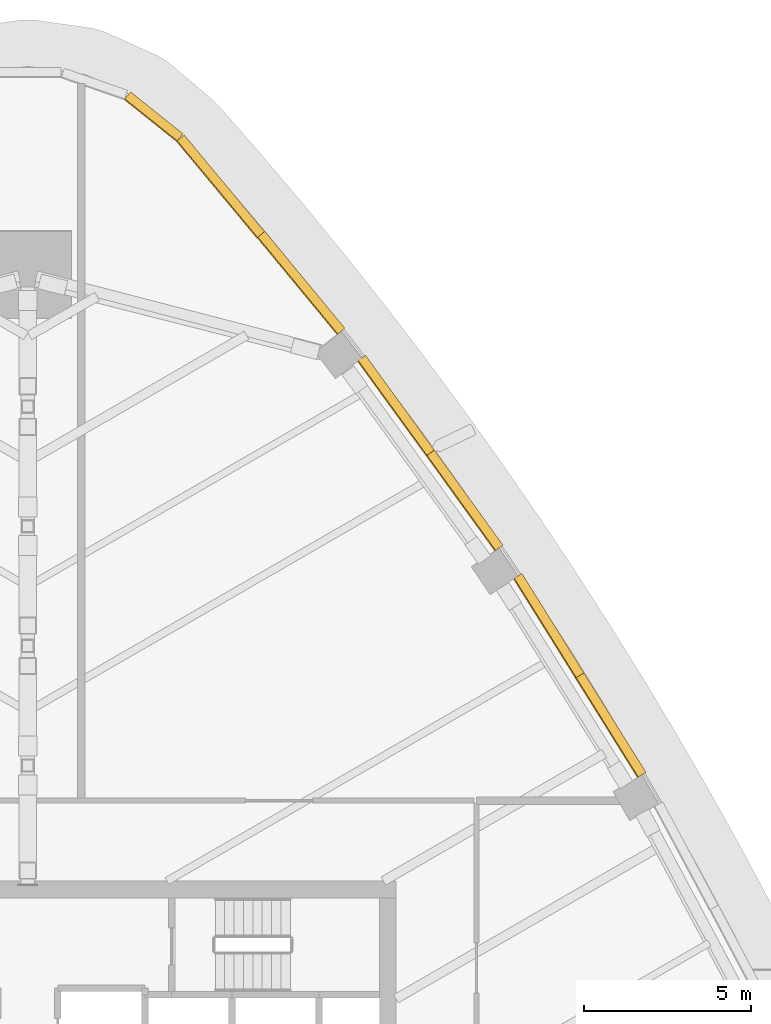
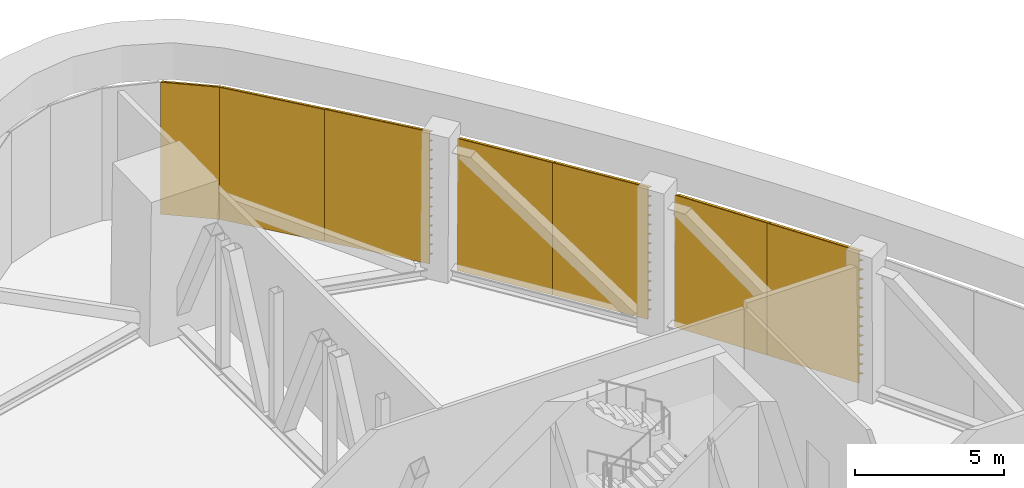
# One storey, part 18 of 18: 7 shading devices.
"""IFC4 building model written with IfcOpenShell, lengths in metres."""

from ifc_helpers import new_model, si_unit, direction, frame, origin, place, context, subcontext, project, spatial, polyline, outline, extrude, material, type_object, element, save


model = new_model("IFC4")

# Units and contexts
model_context = context("Model", 3, precision=1e-05, world=origin(), true_north=direction((0.0, 1.0)))
body_context = subcontext(model_context, "Body", "Model", "MODEL_VIEW")
ifc_project = project(units=[si_unit("LENGTHUNIT", "METRE"), si_unit("AREAUNIT", "SQUARE_METRE"), si_unit("VOLUMEUNIT", "CUBIC_METRE"), si_unit("PLANEANGLEUNIT", "RADIAN"), si_unit("MASSUNIT", "GRAM", prefix="KILO")], contexts=[model_context])

# Site, building, storey
site_placement = place(None, origin())
site = spatial("IfcSite", under=ifc_project, at=site_placement, CompositionType="ELEMENT")
building_placement = place(site_placement, origin())
building = spatial("IfcBuilding", under=site, at=building_placement, Name="Sierra Prisma Convention Tower", CompositionType="ELEMENT")
storey_placement = place(building_placement, frame((0.0, 0.0, 213.800048828125)))
storey = spatial("IfcBuildingStorey", under=building, at=storey_placement, Name="L48", CompositionType="ELEMENT", Elevation=213.800048828125)

# Shading devices
ifc_material = material(Name="Aluminium 6063-T6 bronze anodised", Category="aluminium")
shading_device_type = type_object("IfcShadingDeviceType", Name="Louvre bay bronze", PredefinedType="USERDEFINED", material=ifc_material)
shading_device_1_placement = place(storey_placement, frame((18.207763671875, 11.08935546875, 0.0), z_axis=(0.529496297523, -0.848312248473, 0.0), x_axis=(0.0, 0.0, 1.0)))
element("IfcShadingDevice", 1, at=shading_device_1_placement, inside=storey, type_object=shading_device_type, Name="Louvre L48 NE4.1", ObjectType="LOUVRE", PredefinedType="USERDEFINED", context=body_context, shape_type="SweptSolid", body=[
    extrude(outline(polyline([(0.0, 0.0), (5.39990234375, 0.0), (5.39990234375, -0.02994182938969584), (5.3798828125, -0.02994182938969584), (5.260009765625, -0.30003961634457077), (5.22998046875, -0.30003961634457077), (5.349853515625, -0.02994182938969584), (5.01416015625, -0.02994182938969584), (4.994140625, -0.02994182938969584), (4.874267578125, -0.30003961634457077), (4.84423828125, -0.30003961634457077), (4.96435546875, -0.02994182938969584), (4.62841796875, -0.02994182938969584), (4.608642578125, -0.02994182938969584), (4.488525390625, -0.30003961634457077), (4.45849609375, -0.30003961634457077), (4.57861328125, -0.02994182938969584), (4.242919921875, -0.02994182938969584), (4.222900390625, -0.02994182938969584), (4.102783203125, -0.30003961634457077), (4.07275390625, -0.30003961634457077), (4.19287109375, -0.02994182938969584), (3.857177734375, -0.02994182938969584), (3.837158203125, -0.02994182938969584), (3.717041015625, -0.30003961634457077), (3.68701171875, -0.30003961634457077), (3.80712890625, -0.02994182938969584), (3.471435546875, -0.02994182938969584), (3.451416015625, -0.02994182938969584), (3.331298828125, -0.30003961634457077), (3.30126953125, -0.30003961634457077), (3.42138671875, -0.02994182938969584), (3.085693359375, -0.02994182938969584), (3.065673828125, -0.02994182938969584), (2.945556640625, -0.30003961634457077), (2.915771484375, -0.30003961634457077), (3.03564453125, -0.02994182938969584), (2.699951171875, -0.02994182938969584), (2.679931640625, -0.02994182938969584), (2.56005859375, -0.30003961634457077), (2.530029296875, -0.30003961634457077), (2.64990234375, -0.02994182938969584), (2.314208984375, -0.02994182938969584), (2.294189453125, -0.02994182938969584), (2.17431640625, -0.30003961634457077), (2.144287109375, -0.30003961634457077), (2.26416015625, -0.02994182938969584), (1.928466796875, -0.02994182938969584), (1.908447265625, -0.02994182938969584), (1.78857421875, -0.30003961634457077), (1.758544921875, -0.30003961634457077), (1.87841796875, -0.02994182938969584), (1.542724609375, -0.02994182938969584), (1.522705078125, -0.02994182938969584), (1.40283203125, -0.30003961634457077), (1.372802734375, -0.30003961634457077), (1.492919921875, -0.02994182938969584), (1.156982421875, -0.02994182938969584), (1.13720703125, -0.02994182938969584), (1.01708984375, -0.30003961634457077), (0.987060546875, -0.30003961634457077), (1.107177734375, -0.02994182938969584), (0.771484375, -0.02994182938969584), (0.75146484375, -0.02994182938969584), (0.63134765625, -0.30003961634457077), (0.601318359375, -0.30003961634457077), (0.721435546875, -0.02994182938969584), (0.3857421875, -0.02994182938969584), (0.36572265625, -0.02994182938969584), (0.24560546875, -0.30003961634457077), (0.215576171875, -0.30003961634457077), (0.335693359375, -0.02994182938969584), (0.0, -0.02994182938969584), (0.0, 0.0)])), origin(), (0.0, 0.0, -1.0), 3.4990234375),
])
shading_device_2_placement = place(storey_placement, frame((16.356201171875, 14.058349609375, 0.0), z_axis=(0.529496297523, -0.848312248473, 0.0), x_axis=(0.0, 0.0, 1.0)))
element("IfcShadingDevice", 2, at=shading_device_2_placement, inside=storey, type_object=shading_device_type, Name="Louvre L48 NE4.2", ObjectType="LOUVRE", PredefinedType="USERDEFINED", context=body_context, shape_type="SweptSolid", body=[
    extrude(outline(polyline([(0.0, 0.0), (5.39990234375, 0.0), (5.39990234375, -0.02994182938969584), (5.3798828125, -0.02994182938969584), (5.260009765625, -0.30003961634457077), (5.22998046875, -0.30003961634457077), (5.349853515625, -0.02994182938969584), (5.01416015625, -0.02994182938969584), (4.994140625, -0.02994182938969584), (4.874267578125, -0.30003961634457077), (4.84423828125, -0.30003961634457077), (4.96435546875, -0.02994182938969584), (4.62841796875, -0.02994182938969584), (4.608642578125, -0.02994182938969584), (4.488525390625, -0.30003961634457077), (4.45849609375, -0.30003961634457077), (4.57861328125, -0.02994182938969584), (4.242919921875, -0.02994182938969584), (4.222900390625, -0.02994182938969584), (4.102783203125, -0.30003961634457077), (4.07275390625, -0.30003961634457077), (4.19287109375, -0.02994182938969584), (3.857177734375, -0.02994182938969584), (3.837158203125, -0.02994182938969584), (3.717041015625, -0.30003961634457077), (3.68701171875, -0.30003961634457077), (3.80712890625, -0.02994182938969584), (3.471435546875, -0.02994182938969584), (3.451416015625, -0.02994182938969584), (3.331298828125, -0.30003961634457077), (3.30126953125, -0.30003961634457077), (3.42138671875, -0.02994182938969584), (3.085693359375, -0.02994182938969584), (3.065673828125, -0.02994182938969584), (2.945556640625, -0.30003961634457077), (2.915771484375, -0.30003961634457077), (3.03564453125, -0.02994182938969584), (2.699951171875, -0.02994182938969584), (2.679931640625, -0.02994182938969584), (2.56005859375, -0.30003961634457077), (2.530029296875, -0.30003961634457077), (2.64990234375, -0.02994182938969584), (2.314208984375, -0.02994182938969584), (2.294189453125, -0.02994182938969584), (2.17431640625, -0.30003961634457077), (2.144287109375, -0.30003961634457077), (2.26416015625, -0.02994182938969584), (1.928466796875, -0.02994182938969584), (1.908447265625, -0.02994182938969584), (1.78857421875, -0.30003961634457077), (1.758544921875, -0.30003961634457077), (1.87841796875, -0.02994182938969584), (1.542724609375, -0.02994182938969584), (1.522705078125, -0.02994182938969584), (1.40283203125, -0.30003961634457077), (1.372802734375, -0.30003961634457077), (1.492919921875, -0.02994182938969584), (1.156982421875, -0.02994182938969584), (1.13720703125, -0.02994182938969584), (1.01708984375, -0.30003961634457077), (0.987060546875, -0.30003961634457077), (1.107177734375, -0.02994182938969584), (0.771484375, -0.02994182938969584), (0.75146484375, -0.02994182938969584), (0.63134765625, -0.30003961634457077), (0.601318359375, -0.30003961634457077), (0.721435546875, -0.02994182938969584), (0.3857421875, -0.02994182938969584), (0.36572265625, -0.02994182938969584), (0.24560546875, -0.30003961634457077), (0.215576171875, -0.30003961634457077), (0.335693359375, -0.02994182938969584), (0.0, -0.02994182938969584), (0.0, 0.0)])), origin(), (0.0, 0.0, -1.0), 3.4990234375),
])
shading_device_3_placement = place(storey_placement, frame((13.947265625, 17.85693359375, 0.0), z_axis=(0.585009644347, -0.811026334974, 0.0), x_axis=(0.0, 0.0, 1.0)))
element("IfcShadingDevice", 3, at=shading_device_3_placement, inside=storey, type_object=shading_device_type, Name="Louvre L48 NE5.1", ObjectType="LOUVRE", PredefinedType="USERDEFINED", context=body_context, shape_type="SweptSolid", body=[
    extrude(outline(polyline([(0.0, 0.0), (5.39990234375, 0.0), (5.39990234375, -0.030083820285732837), (5.3798828125, -0.030083820285732837), (5.260009765625, -0.3000461849520803), (5.22998046875, -0.3000461849520803), (5.349853515625, -0.030083820285732837), (5.01416015625, -0.030083820285732837), (4.994140625, -0.030083820285732837), (4.874267578125, -0.3000461849520803), (4.84423828125, -0.3000461849520803), (4.96435546875, -0.030083820285732837), (4.62841796875, -0.030083820285732837), (4.608642578125, -0.030083820285732837), (4.488525390625, -0.3000461849520803), (4.45849609375, -0.3000461849520803), (4.57861328125, -0.030083820285732837), (4.242919921875, -0.030083820285732837), (4.222900390625, -0.030083820285732837), (4.102783203125, -0.3000461849520803), (4.07275390625, -0.3000461849520803), (4.19287109375, -0.030083820285732837), (3.857177734375, -0.030083820285732837), (3.837158203125, -0.030083820285732837), (3.717041015625, -0.3000461849520803), (3.68701171875, -0.3000461849520803), (3.80712890625, -0.030083820285732837), (3.471435546875, -0.030083820285732837), (3.451416015625, -0.030083820285732837), (3.331298828125, -0.3000461849520803), (3.30126953125, -0.3000461849520803), (3.42138671875, -0.030083820285732837), (3.085693359375, -0.030083820285732837), (3.065673828125, -0.030083820285732837), (2.945556640625, -0.3000461849520803), (2.915771484375, -0.3000461849520803), (3.03564453125, -0.030083820285732837), (2.699951171875, -0.030083820285732837), (2.679931640625, -0.030083820285732837), (2.56005859375, -0.3000461849520803), (2.530029296875, -0.3000461849520803), (2.64990234375, -0.030083820285732837), (2.314208984375, -0.030083820285732837), (2.294189453125, -0.030083820285732837), (2.17431640625, -0.3000461849520803), (2.144287109375, -0.3000461849520803), (2.26416015625, -0.030083820285732837), (1.928466796875, -0.030083820285732837), (1.908447265625, -0.030083820285732837), (1.78857421875, -0.3000461849520803), (1.758544921875, -0.3000461849520803), (1.87841796875, -0.030083820285732837), (1.542724609375, -0.030083820285732837), (1.522705078125, -0.030083820285732837), (1.40283203125, -0.3000461849520803), (1.372802734375, -0.3000461849520803), (1.492919921875, -0.030083820285732837), (1.156982421875, -0.030083820285732837), (1.13720703125, -0.030083820285732837), (1.01708984375, -0.3000461849520803), (0.987060546875, -0.3000461849520803), (1.107177734375, -0.030083820285732837), (0.771484375, -0.030083820285732837), (0.75146484375, -0.030083820285732837), (0.63134765625, -0.3000461849520803), (0.601318359375, -0.3000461849520803), (0.721435546875, -0.030083820285732837), (0.3857421875, -0.030083820285732837), (0.36572265625, -0.030083820285732837), (0.24560546875, -0.3000461849520803), (0.215576171875, -0.3000461849520803), (0.335693359375, -0.030083820285732837), (0.0, -0.030083820285732837), (0.0, 0.0)])), origin(), (0.0, 0.0, -1.0), 3.4990234375),
])
shading_device_4_placement = place(storey_placement, frame((11.8984375, 20.693359375, 0.0), z_axis=(0.587106347659, -0.809509812503, 0.0), x_axis=(0.0, 0.0, 1.0)))
element("IfcShadingDevice", 4, at=shading_device_4_placement, inside=storey, type_object=shading_device_type, Name="Louvre L48 NE5.2", ObjectType="LOUVRE", PredefinedType="USERDEFINED", context=body_context, shape_type="SweptSolid", body=[
    extrude(outline(polyline([(0.0, 0.0), (5.39990234375, 0.0), (5.39990234375, -0.029886017692684792), (5.3798828125, -0.029886017692684792), (5.260009765625, -0.3000459823162564), (5.22998046875, -0.3000459823162564), (5.349853515625, -0.029886017692684792), (5.01416015625, -0.029886017692684792), (4.994140625, -0.029886017692684792), (4.874267578125, -0.3000459823162564), (4.84423828125, -0.3000459823162564), (4.96435546875, -0.029886017692684792), (4.62841796875, -0.029886017692684792), (4.608642578125, -0.029886017692684792), (4.488525390625, -0.3000459823162564), (4.45849609375, -0.3000459823162564), (4.57861328125, -0.029886017692684792), (4.242919921875, -0.029886017692684792), (4.222900390625, -0.029886017692684792), (4.102783203125, -0.3000459823162564), (4.07275390625, -0.3000459823162564), (4.19287109375, -0.029886017692684792), (3.857177734375, -0.029886017692684792), (3.837158203125, -0.029886017692684792), (3.717041015625, -0.3000459823162564), (3.68701171875, -0.3000459823162564), (3.80712890625, -0.029886017692684792), (3.471435546875, -0.029886017692684792), (3.451416015625, -0.029886017692684792), (3.331298828125, -0.3000459823162564), (3.30126953125, -0.3000459823162564), (3.42138671875, -0.029886017692684792), (3.085693359375, -0.029886017692684792), (3.065673828125, -0.029886017692684792), (2.945556640625, -0.3000459823162564), (2.915771484375, -0.3000459823162564), (3.03564453125, -0.029886017692684792), (2.699951171875, -0.029886017692684792), (2.679931640625, -0.029886017692684792), (2.56005859375, -0.3000459823162564), (2.530029296875, -0.3000459823162564), (2.64990234375, -0.029886017692684792), (2.314208984375, -0.029886017692684792), (2.294189453125, -0.029886017692684792), (2.17431640625, -0.3000459823162564), (2.144287109375, -0.3000459823162564), (2.26416015625, -0.029886017692684792), (1.928466796875, -0.029886017692684792), (1.908447265625, -0.029886017692684792), (1.78857421875, -0.3000459823162564), (1.758544921875, -0.3000459823162564), (1.87841796875, -0.029886017692684792), (1.542724609375, -0.029886017692684792), (1.522705078125, -0.029886017692684792), (1.40283203125, -0.3000459823162564), (1.372802734375, -0.3000459823162564), (1.492919921875, -0.029886017692684792), (1.156982421875, -0.029886017692684792), (1.13720703125, -0.029886017692684792), (1.01708984375, -0.3000459823162564), (0.987060546875, -0.3000459823162564), (1.107177734375, -0.029886017692684792), (0.771484375, -0.029886017692684792), (0.75146484375, -0.029886017692684792), (0.63134765625, -0.3000459823162564), (0.601318359375, -0.3000459823162564), (0.721435546875, -0.029886017692684792), (0.3857421875, -0.029886017692684792), (0.36572265625, -0.029886017692684792), (0.24560546875, -0.3000459823162564), (0.215576171875, -0.3000459823162564), (0.335693359375, -0.029886017692684792), (0.0, -0.029886017692684792), (0.0, 0.0)])), origin(), (0.0, 0.0, -1.0), 3.4990234375),
])
shading_device_5_placement = place(storey_placement, frame((9.23681640625, 24.319580078125, 0.0), z_axis=(0.63658878244, -0.771203424572, 0.0), x_axis=(0.0, 0.0, 1.0)))
element("IfcShadingDevice", 5, at=shading_device_5_placement, inside=storey, type_object=shading_device_type, Name="Louvre L48 NE6.1", ObjectType="LOUVRE", PredefinedType="USERDEFINED", context=body_context, shape_type="SweptSolid", body=[
    extrude(outline(polyline([(0.0, 0.0), (5.39990234375, 0.0), (5.39990234375, -0.030009338467934205), (5.3798828125, -0.030009338467934205), (5.260009765625, -0.29992906016502147), (5.22998046875, -0.29992906016502147), (5.349853515625, -0.030009338467934205), (5.01416015625, -0.030009338467934205), (4.994140625, -0.030009338467934205), (4.874267578125, -0.29992906016502147), (4.84423828125, -0.29992906016502147), (4.96435546875, -0.030009338467934205), (4.62841796875, -0.030009338467934205), (4.608642578125, -0.030009338467934205), (4.488525390625, -0.29992906016502147), (4.45849609375, -0.29992906016502147), (4.57861328125, -0.030009338467934205), (4.242919921875, -0.030009338467934205), (4.222900390625, -0.030009338467934205), (4.102783203125, -0.29992906016502147), (4.07275390625, -0.29992906016502147), (4.19287109375, -0.030009338467934205), (3.857177734375, -0.030009338467934205), (3.837158203125, -0.030009338467934205), (3.717041015625, -0.29992906016502147), (3.68701171875, -0.29992906016502147), (3.80712890625, -0.030009338467934205), (3.471435546875, -0.030009338467934205), (3.451416015625, -0.030009338467934205), (3.331298828125, -0.29992906016502147), (3.30126953125, -0.29992906016502147), (3.42138671875, -0.030009338467934205), (3.085693359375, -0.030009338467934205), (3.065673828125, -0.030009338467934205), (2.945556640625, -0.29992906016502147), (2.915771484375, -0.29992906016502147), (3.03564453125, -0.030009338467934205), (2.699951171875, -0.030009338467934205), (2.679931640625, -0.030009338467934205), (2.56005859375, -0.29992906016502147), (2.530029296875, -0.29992906016502147), (2.64990234375, -0.030009338467934205), (2.314208984375, -0.030009338467934205), (2.294189453125, -0.030009338467934205), (2.17431640625, -0.29992906016502147), (2.144287109375, -0.29992906016502147), (2.26416015625, -0.030009338467934205), (1.928466796875, -0.030009338467934205), (1.908447265625, -0.030009338467934205), (1.78857421875, -0.29992906016502147), (1.758544921875, -0.29992906016502147), (1.87841796875, -0.030009338467934205), (1.542724609375, -0.030009338467934205), (1.522705078125, -0.030009338467934205), (1.40283203125, -0.29992906016502147), (1.372802734375, -0.29992906016502147), (1.492919921875, -0.030009338467934205), (1.156982421875, -0.030009338467934205), (1.13720703125, -0.030009338467934205), (1.01708984375, -0.29992906016502147), (0.987060546875, -0.29992906016502147), (1.107177734375, -0.030009338467934205), (0.771484375, -0.030009338467934205), (0.75146484375, -0.030009338467934205), (0.63134765625, -0.29992906016502147), (0.601318359375, -0.29992906016502147), (0.721435546875, -0.030009338467934205), (0.3857421875, -0.030009338467934205), (0.36572265625, -0.030009338467934205), (0.24560546875, -0.29992906016502147), (0.215576171875, -0.29992906016502147), (0.335693359375, -0.030009338467934205), (0.0, -0.030009338467934205), (0.0, 0.0)])), origin(), (0.0, 0.0, -1.0), 3.7490234375),
])
shading_device_6_placement = place(storey_placement, frame((6.840087890625, 27.202392578125, 0.0), z_axis=(0.639422620887, -0.76885545579, 0.0), x_axis=(0.0, 0.0, 1.0)))
element("IfcShadingDevice", 6, at=shading_device_6_placement, inside=storey, type_object=shading_device_type, Name="Louvre L48 NE6.2", ObjectType="LOUVRE", PredefinedType="USERDEFINED", context=body_context, shape_type="SweptSolid", body=[
    extrude(outline(polyline([(0.0, 0.0), (5.39990234375, 0.0), (5.39990234375, -0.03016495491946288), (5.3798828125, -0.03016495491946288), (5.260009765625, -0.30008656878386275), (5.22998046875, -0.30008656878386275), (5.349853515625, -0.03016495491946288), (5.01416015625, -0.03016495491946288), (4.994140625, -0.03016495491946288), (4.874267578125, -0.30008656878386275), (4.84423828125, -0.30008656878386275), (4.96435546875, -0.03016495491946288), (4.62841796875, -0.03016495491946288), (4.608642578125, -0.03016495491946288), (4.488525390625, -0.30008656878386275), (4.45849609375, -0.30008656878386275), (4.57861328125, -0.03016495491946288), (4.242919921875, -0.03016495491946288), (4.222900390625, -0.03016495491946288), (4.102783203125, -0.30008656878386275), (4.07275390625, -0.30008656878386275), (4.19287109375, -0.03016495491946288), (3.857177734375, -0.03016495491946288), (3.837158203125, -0.03016495491946288), (3.717041015625, -0.30008656878386275), (3.68701171875, -0.30008656878386275), (3.80712890625, -0.03016495491946288), (3.471435546875, -0.03016495491946288), (3.451416015625, -0.03016495491946288), (3.331298828125, -0.30008656878386275), (3.30126953125, -0.30008656878386275), (3.42138671875, -0.03016495491946288), (3.085693359375, -0.03016495491946288), (3.065673828125, -0.03016495491946288), (2.945556640625, -0.30008656878386275), (2.915771484375, -0.30008656878386275), (3.03564453125, -0.03016495491946288), (2.699951171875, -0.03016495491946288), (2.679931640625, -0.03016495491946288), (2.56005859375, -0.30008656878386275), (2.530029296875, -0.30008656878386275), (2.64990234375, -0.03016495491946288), (2.314208984375, -0.03016495491946288), (2.294189453125, -0.03016495491946288), (2.17431640625, -0.30008656878386275), (2.144287109375, -0.30008656878386275), (2.26416015625, -0.03016495491946288), (1.928466796875, -0.03016495491946288), (1.908447265625, -0.03016495491946288), (1.78857421875, -0.30008656878386275), (1.758544921875, -0.30008656878386275), (1.87841796875, -0.03016495491946288), (1.542724609375, -0.03016495491946288), (1.522705078125, -0.03016495491946288), (1.40283203125, -0.30008656878386275), (1.372802734375, -0.30008656878386275), (1.492919921875, -0.03016495491946288), (1.156982421875, -0.03016495491946288), (1.13720703125, -0.03016495491946288), (1.01708984375, -0.30008656878386275), (0.987060546875, -0.30008656878386275), (1.107177734375, -0.03016495491946288), (0.771484375, -0.03016495491946288), (0.75146484375, -0.03016495491946288), (0.63134765625, -0.30008656878386275), (0.601318359375, -0.30008656878386275), (0.721435546875, -0.03016495491946288), (0.3857421875, -0.03016495491946288), (0.36572265625, -0.03016495491946288), (0.24560546875, -0.30008656878386275), (0.215576171875, -0.30008656878386275), (0.335693359375, -0.03016495491946288), (0.0, -0.03016495491946288), (0.0, 0.0)])), origin(), (0.0, 0.0, -1.0), 3.7490234375),
])
shading_device_7_placement = place(storey_placement, frame((4.443359375, 30.085205078125, 0.0), z_axis=(0.780619904307, -0.62500605197, 0.0), x_axis=(0.0, 0.0, 1.0)))
element("IfcShadingDevice", 7, at=shading_device_7_placement, inside=storey, type_object=shading_device_type, Name="Louvre L48 N1.1", ObjectType="LOUVRE", PredefinedType="USERDEFINED", context=body_context, shape_type="SweptSolid", body=[
    extrude(outline(polyline([(0.0, 0.0), (5.39990234375, 0.0), (5.39990234375, -0.03004516035527324), (5.3798828125, -0.03004516035527324), (5.260009765625, -0.29999383544826186), (5.22998046875, -0.29999383544826186), (5.349853515625, -0.03004516035527324), (5.01416015625, -0.03004516035527324), (4.994140625, -0.03004516035527324), (4.874267578125, -0.29999383544826186), (4.84423828125, -0.29999383544826186), (4.96435546875, -0.03004516035527324), (4.62841796875, -0.03004516035527324), (4.608642578125, -0.03004516035527324), (4.488525390625, -0.29999383544826186), (4.45849609375, -0.29999383544826186), (4.57861328125, -0.03004516035527324), (4.242919921875, -0.03004516035527324), (4.222900390625, -0.03004516035527324), (4.102783203125, -0.29999383544826186), (4.07275390625, -0.29999383544826186), (4.19287109375, -0.03004516035527324), (3.857177734375, -0.03004516035527324), (3.837158203125, -0.03004516035527324), (3.717041015625, -0.29999383544826186), (3.68701171875, -0.29999383544826186), (3.80712890625, -0.03004516035527324), (3.471435546875, -0.03004516035527324), (3.451416015625, -0.03004516035527324), (3.331298828125, -0.29999383544826186), (3.30126953125, -0.29999383544826186), (3.42138671875, -0.03004516035527324), (3.085693359375, -0.03004516035527324), (3.065673828125, -0.03004516035527324), (2.945556640625, -0.29999383544826186), (2.915771484375, -0.29999383544826186), (3.03564453125, -0.03004516035527324), (2.699951171875, -0.03004516035527324), (2.679931640625, -0.03004516035527324), (2.56005859375, -0.29999383544826186), (2.530029296875, -0.29999383544826186), (2.64990234375, -0.03004516035527324), (2.314208984375, -0.03004516035527324), (2.294189453125, -0.03004516035527324), (2.17431640625, -0.29999383544826186), (2.144287109375, -0.29999383544826186), (2.26416015625, -0.03004516035527324), (1.928466796875, -0.03004516035527324), (1.908447265625, -0.03004516035527324), (1.78857421875, -0.29999383544826186), (1.758544921875, -0.29999383544826186), (1.87841796875, -0.03004516035527324), (1.542724609375, -0.03004516035527324), (1.522705078125, -0.03004516035527324), (1.40283203125, -0.29999383544826186), (1.372802734375, -0.29999383544826186), (1.492919921875, -0.03004516035527324), (1.156982421875, -0.03004516035527324), (1.13720703125, -0.03004516035527324), (1.01708984375, -0.29999383544826186), (0.987060546875, -0.29999383544826186), (1.107177734375, -0.03004516035527324), (0.771484375, -0.03004516035527324), (0.75146484375, -0.03004516035527324), (0.63134765625, -0.29999383544826186), (0.601318359375, -0.29999383544826186), (0.721435546875, -0.03004516035527324), (0.3857421875, -0.03004516035527324), (0.36572265625, -0.03004516035527324), (0.24560546875, -0.29999383544826186), (0.215576171875, -0.29999383544826186), (0.335693359375, -0.03004516035527324), (0.0, -0.03004516035527324), (0.0, 0.0)])), origin(), (0.0, 0.0, -1.0), 1.997314453125),
])

save(model, "model.ifc")
